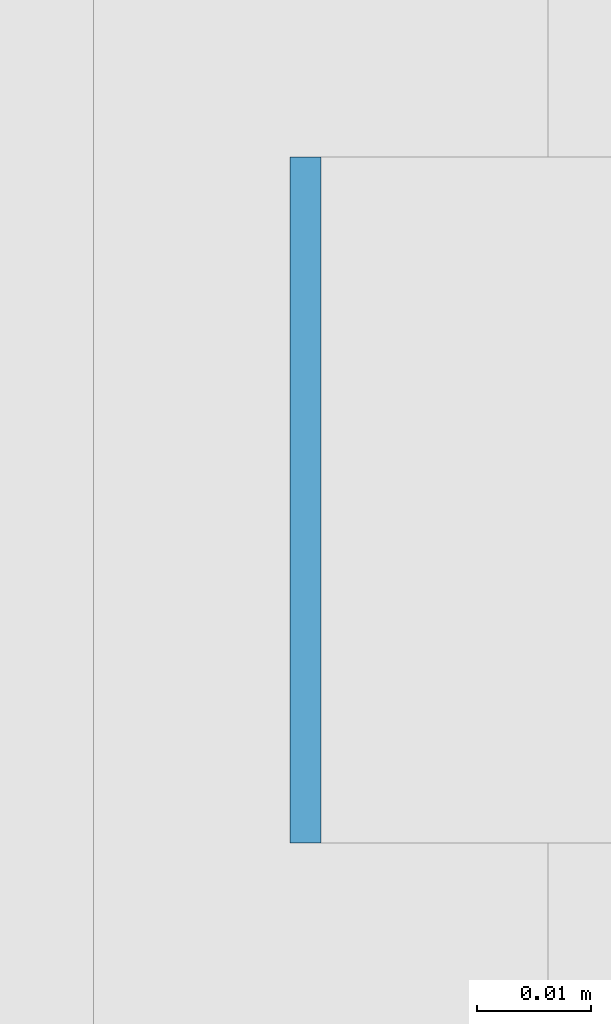
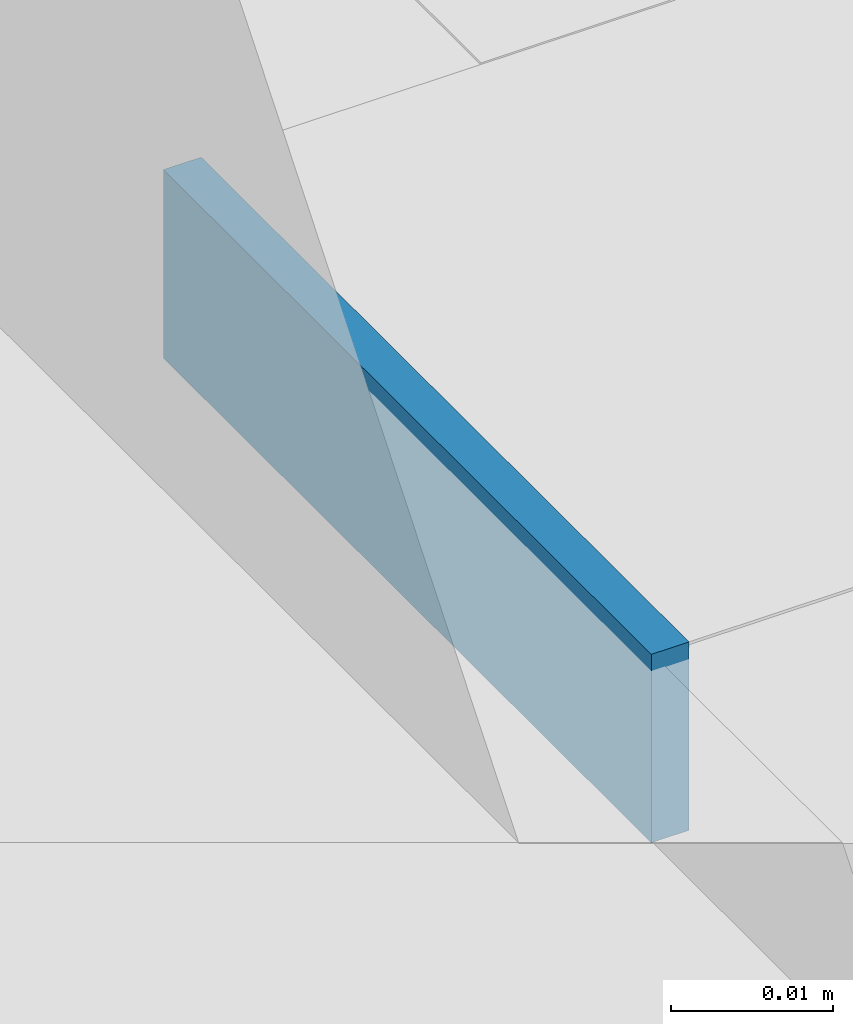
# One storey, part 575 of 646: 1 discrete accessory.
"""IFC4 building model written with IfcOpenShell, lengths in metres."""

from ifc_helpers import new_model, si_unit, direction, frame, origin, origin_2d, place, context, subcontext, project, spatial, rectangle, extrude, material, type_object, element, save


model = new_model("IFC4")

# Units and contexts
model_context = context("Model", 3, precision=1e-05, world=origin(), true_north=direction((0.0, 1.0)))
body_context = subcontext(model_context, "Body", "Model", "MODEL_VIEW")
ifc_project = project(units=[si_unit("LENGTHUNIT", "METRE"), si_unit("AREAUNIT", "SQUARE_METRE"), si_unit("VOLUMEUNIT", "CUBIC_METRE"), si_unit("PLANEANGLEUNIT", "RADIAN"), si_unit("MASSUNIT", "GRAM", prefix="KILO")], contexts=[model_context])

# Site, building, storey
site_placement = place(None, origin())
site = spatial("IfcSite", under=ifc_project, at=site_placement, CompositionType="ELEMENT")
building_placement = place(site_placement, origin())
building = spatial("IfcBuilding", under=site, at=building_placement, Name="Silverbay Arena", CompositionType="ELEMENT")
storey_placement = place(building_placement, frame((0.0, 0.0, 33.5)))
storey = spatial("IfcBuildingStorey", under=building, at=storey_placement, Name="L05", CompositionType="ELEMENT", Elevation=33.5)

# Discrete accessory
ifc_material = material(Name="Steel S355", Category="steel")
discrete_accessory_type = type_object("IfcDiscreteAccessoryType", Name="Steel bracket plate", PredefinedType="BRACKET", material=ifc_material)
discrete_accessory_placement = place(storey_placement, frame((207.128662109375, 109.28564453125, 12.98583984375), z_axis=(0.0, 0.0, 1.0), x_axis=(1.0, 0.0, 0.0)))
element("IfcDiscreteAccessory", 1, at=discrete_accessory_placement, inside=storey, type_object=discrete_accessory_type, Name="Curtain wall packing plate", PredefinedType="BRACKET", context=body_context, shape_type="SweptSolid", body=[
    extrude(rectangle(XDim=0.002685546875, YDim=0.06005859375, at=origin_2d()), origin(), (0.0, 0.0, 1.0), 0.01416015625),
])

save(model, "model.ifc")
